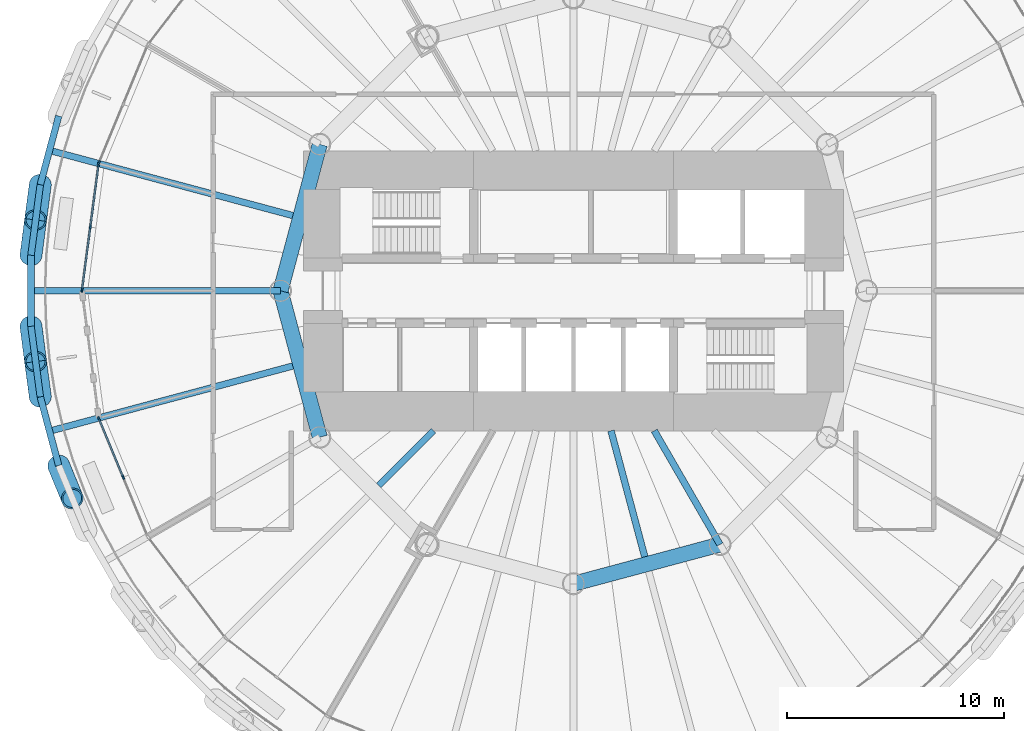
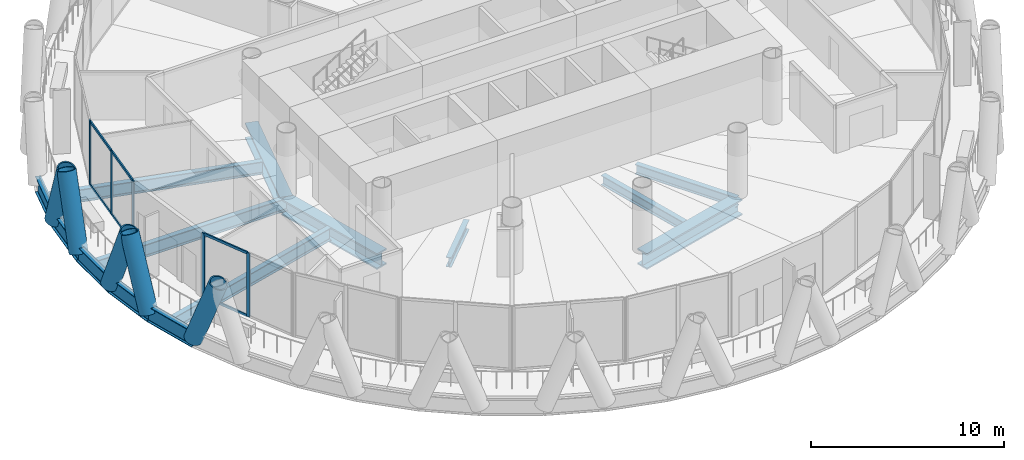
# One storey, part 3 of 15: 17 members, 14 beams, 3 elements without a shape of their own.
"""IFC4 building model written with IfcOpenShell, lengths in metres."""

from ifc_helpers import new_model, si_unit, direction, frame, origin, origin_2d, place, context, subcontext, project, spatial, rectangle, hollow_circle, i_section, extrude, material, material_profile, profile_set, type_object, element, aggregate, save


model = new_model("IFC4")

# Units and contexts
model_context = context("Model", 3, precision=1e-05, world=origin(), true_north=direction((0.0, 1.0)))
body_context = subcontext(model_context, "Body", "Model", "MODEL_VIEW")
ifc_project = project(units=[si_unit("LENGTHUNIT", "METRE"), si_unit("AREAUNIT", "SQUARE_METRE"), si_unit("VOLUMEUNIT", "CUBIC_METRE"), si_unit("PLANEANGLEUNIT", "RADIAN"), si_unit("MASSUNIT", "GRAM", prefix="KILO")], contexts=[model_context])

# Site, building, storey
site_placement = place(None, origin())
site = spatial("IfcSite", under=ifc_project, at=site_placement, CompositionType="ELEMENT")
building_placement = place(site_placement, origin())
building = spatial("IfcBuilding", under=site, at=building_placement, Name="Qaws Media Tower", CompositionType="ELEMENT")
storey_placement = place(building_placement, frame((0.0, 0.0, 131.0)))
storey = spatial("IfcBuildingStorey", under=building, at=storey_placement, Name="L29", CompositionType="ELEMENT", Elevation=131.0)

# Curtain wall, member
ifc_material_1 = material(Name="Aluminium and clear glass", Category="aluminium")
curtain_wall_type = type_object("IfcCurtainWallType", Name="Unitised curtain wall CW-B", PredefinedType="NOTDEFINED", material=ifc_material_1)
curtain_wall_1_placement = place(storey_placement, origin())
curtain_wall_1 = element("IfcCurtainWall", 1, at=curtain_wall_1_placement, inside=storey, type_object=curtain_wall_type, Name="CWB curtain wall L29-11", PredefinedType="NOTDEFINED")
ifc_material_2 = material(Name="Aluminium mullion", Category="aluminium")
ifc_material_profile_1 = material_profile(ifc_material_2, rectangle(XDim=0.080078125, YDim=0.199951171875, at=origin_2d()), Name="80x200")
ifc_profile_set_1 = profile_set([ifc_material_profile_1], Name="Aluminium mullion")
member_type_1 = type_object("IfcMemberType", Name="Curtain wall mullion 80x200", PredefinedType="MULLION", material=ifc_profile_set_1)
member_1_placement = place(storey_placement, frame((38.13720703125, 55.899169921875, 0.0), z_axis=(0.0, 0.0, 1.0), x_axis=(0.923879515987, -0.382683472258, 0.0)))
member_1 = element("IfcMember", 2, at=member_1_placement, type_object=member_type_1, Name="CWB mullion 3", PredefinedType="MULLION", context=body_context, shape_type="SweptSolid", body=[
    extrude(rectangle(XDim=0.080078125, YDim=0.199951171875, at=origin_2d()), origin(), (0.0, 0.0, 1.0), 4.0400390625),
])
aggregate(curtain_wall_1, [member_1])

# Curtain wall, members
curtain_wall_2_placement = place(storey_placement, origin())
curtain_wall_2 = element("IfcCurtainWall", 3, at=curtain_wall_2_placement, inside=storey, type_object=curtain_wall_type, Name="CWB curtain wall L29-12", PredefinedType="NOTDEFINED")
member_2_placement = place(storey_placement, frame((38.116455078125, 55.822509765625, 0.0), z_axis=(0.0, 0.0, 1.0), x_axis=(0.991444861059, -0.130526194608, 0.0)))
member_2 = element("IfcMember", 4, at=member_2_placement, type_object=member_type_1, Name="CWB mullion 1", PredefinedType="MULLION", context=body_context, shape_type="SweptSolid", body=[
    extrude(rectangle(XDim=0.080078125, YDim=0.199951171875, at=origin_2d()), origin(), (0.0, 0.0, 1.0), 4.0400390625),
])
member_3_placement = place(storey_placement, frame((37.73583984375, 52.93115234375, 0.0), z_axis=(0.0, 0.0, 1.0), x_axis=(0.991444861059, -0.130526194608, 0.0)))
member_3 = element("IfcMember", 5, at=member_3_placement, type_object=member_type_1, Name="CWB mullion 2", PredefinedType="MULLION", context=body_context, shape_type="SweptSolid", body=[
    extrude(rectangle(XDim=0.080078125, YDim=0.199951171875, at=origin_2d()), origin(), (0.0, 0.0, 1.0), 4.0400390625),
])
member_4_placement = place(storey_placement, frame((37.355224609375, 50.03955078125, 0.0), z_axis=(0.0, 0.0, 1.0), x_axis=(0.991444861059, -0.130526194608, 0.0)))
member_4 = element("IfcMember", 6, at=member_4_placement, type_object=member_type_1, Name="CWB mullion 3", PredefinedType="MULLION", context=body_context, shape_type="SweptSolid", body=[
    extrude(rectangle(XDim=0.080078125, YDim=0.199951171875, at=origin_2d()), origin(), (0.0, 0.0, 1.0), 4.0400390625),
])

curtain_wall_3_placement = place(storey_placement, origin())
curtain_wall_3 = element("IfcCurtainWall", 7, at=curtain_wall_3_placement, inside=storey, type_object=curtain_wall_type, Name="CWB curtain wall L29-14", PredefinedType="NOTDEFINED")
member_5_placement = place(storey_placement, frame((38.13720703125, 44.100830078125, 0.0), z_axis=(0.0, 0.0, 1.0), x_axis=(0.923879515987, 0.382683472258, 0.0)))
member_5 = element("IfcMember", 8, at=member_5_placement, type_object=member_type_1, Name="CWB mullion 1", PredefinedType="MULLION", context=body_context, shape_type="SweptSolid", body=[
    extrude(rectangle(XDim=0.080078125, YDim=0.199951171875, at=origin_2d()), origin(), (0.0, 0.0, 1.0), 4.0400390625),
])
member_6_placement = place(storey_placement, frame((39.253173828125, 41.406494140625, 0.0), z_axis=(0.0, 0.0, 1.0), x_axis=(0.923879515987, 0.382683472258, 0.0)))
member_6 = element("IfcMember", 9, at=member_6_placement, type_object=member_type_1, Name="CWB mullion 2", PredefinedType="MULLION", context=body_context, shape_type="SweptSolid", body=[
    extrude(rectangle(XDim=0.080078125, YDim=0.199951171875, at=origin_2d()), origin(), (0.0, 0.0, 1.0), 4.0400390625),
])

# Member
ifc_material_3 = material(Name="Aluminium transom", Category="aluminium")
ifc_material_profile_2 = material_profile(ifc_material_3, rectangle(XDim=0.080078125, YDim=0.159912109375, at=origin_2d()), Name="80x160")
ifc_profile_set_2 = profile_set([ifc_material_profile_2], Name="Aluminium transom")
member_type_2 = type_object("IfcMemberType", Name="Curtain wall transom 80x160", PredefinedType="USERDEFINED", material=ifc_profile_set_2)
member_7_placement = place(storey_placement, frame((38.111328125, 55.782958984375, 0.0400390625), z_axis=(-0.130483456706, -0.991450486674, 0.0), x_axis=(0.991450486674, -0.130483456706, 0.0)))
member_7 = element("IfcMember", 10, at=member_7_placement, type_object=member_type_2, Name="CWB transom 1.1", ObjectType="TRANSOM", PredefinedType="USERDEFINED", context=body_context, shape_type="SweptSolid", body=[
    extrude(rectangle(XDim=0.080078125, YDim=0.159912109375, at=origin_2d()), origin(), (0.0, 0.0, 1.0), 2.83642578125),
])

member_8_placement = place(storey_placement, frame((38.111328125, 55.782958984375, 4.0), z_axis=(-0.130483456706, -0.991450486674, 0.0), x_axis=(0.991450486674, -0.130483456706, 0.0)))
member_8 = element("IfcMember", 11, at=member_8_placement, type_object=member_type_2, Name="CWB transom 1.2", ObjectType="TRANSOM", PredefinedType="USERDEFINED", context=body_context, shape_type="SweptSolid", body=[
    extrude(rectangle(XDim=0.080078125, YDim=0.159912109375, at=origin_2d()), origin(), (0.0, 0.0, 1.0), 2.83642578125),
])

member_9_placement = place(storey_placement, frame((37.730712890625, 52.891357421875, 0.0400390625), z_axis=(-0.130579203445, -0.991437880872, 0.0), x_axis=(0.991437880872, -0.130579203445, 0.0)))
member_9 = element("IfcMember", 12, at=member_9_placement, type_object=member_type_2, Name="CWB transom 2.1", ObjectType="TRANSOM", PredefinedType="USERDEFINED", context=body_context, shape_type="SweptSolid", body=[
    extrude(rectangle(XDim=0.080078125, YDim=0.159912109375, at=origin_2d()), origin(), (0.0, 0.0, 1.0), 2.836181640625),
])

member_10_placement = place(storey_placement, frame((37.730712890625, 52.891357421875, 4.0), z_axis=(-0.130579203445, -0.991437880872, 0.0), x_axis=(0.991437880872, -0.130579203445, 0.0)))
member_10 = element("IfcMember", 13, at=member_10_placement, type_object=member_type_2, Name="CWB transom 2.2", ObjectType="TRANSOM", PredefinedType="USERDEFINED", context=body_context, shape_type="SweptSolid", body=[
    extrude(rectangle(XDim=0.080078125, YDim=0.159912109375, at=origin_2d()), origin(), (0.0, 0.0, 1.0), 2.836181640625),
])

aggregate(curtain_wall_2, [member_2, member_3, member_4, member_7, member_8, member_9, member_10])

member_11_placement = place(storey_placement, frame((38.15234375, 44.063720703125, 0.0400390625), z_axis=(0.382701494265, -0.92387205082, 0.0), x_axis=(0.92387205082, 0.382701494265, 0.0)))
member_11 = element("IfcMember", 14, at=member_11_placement, type_object=member_type_2, Name="CWB transom 1.1", ObjectType="TRANSOM", PredefinedType="USERDEFINED", context=body_context, shape_type="SweptSolid", body=[
    extrude(rectangle(XDim=0.080078125, YDim=0.159912109375, at=origin_2d()), origin(), (0.0, 0.0, 1.0), 2.836181640625),
])

member_12_placement = place(storey_placement, frame((38.15234375, 44.063720703125, 4.0), z_axis=(0.382701494265, -0.92387205082, 0.0), x_axis=(0.92387205082, 0.382701494265, 0.0)))
member_12 = element("IfcMember", 15, at=member_12_placement, type_object=member_type_2, Name="CWB transom 1.2", ObjectType="TRANSOM", PredefinedType="USERDEFINED", context=body_context, shape_type="SweptSolid", body=[
    extrude(rectangle(XDim=0.080078125, YDim=0.159912109375, at=origin_2d()), origin(), (0.0, 0.0, 1.0), 2.836181640625),
])

aggregate(curtain_wall_3, [member_5, member_6, member_11, member_12])

# Members
ifc_material_4 = material(Name="Steel S460", Category="steel")
ifc_material_profile_3 = material_profile(ifc_material_4, hollow_circle(Radius=0.508056640625, WallThickness=0.070068359375, at=origin_2d()), Name="CHS 1016x70")
ifc_profile_set_3 = profile_set([ifc_material_profile_3], Name="Steel S460")
member_type_3 = type_object("IfcMemberType", Name="Diagrid member CHS 1016x70", PredefinedType="USERDEFINED", material=ifc_profile_set_3)
for number, where, z_axis, x_axis, name in (
    (16, (35.431396484375, 54.886962890625, -0.6640625), (-0.048252273202, -0.360186160571, 0.931631712569), (0.991145715251, -0.132778654682, 0.0), "DG3 diagrid L29 A12"),
    (17, (35.003662109375, 48.361572265625, -0.6640625), (0.046627572138, -0.360402430408, 0.931630805455), (0.991734491541, 0.128307046915, 0.0), "DG3 diagrid L29 A13"),
    (18, (35.003662109375, 51.638427734375, -0.6640625), (0.046627572138, 0.360402430408, 0.931630805455), (-0.991734491541, 0.128307046915, 0.0), "DG3 diagrid L29 B13"),
):
    element("IfcMember", number, at=place(storey_placement, frame(where, z_axis=z_axis, x_axis=x_axis)), inside=storey, type_object=member_type_3, Name=name, ObjectType="DIAGRID", PredefinedType="USERDEFINED", context=body_context, shape_type="SweptSolid", body=[
        extrude(hollow_circle(Radius=0.508056640625, WallThickness=0.070068359375, at=origin_2d()), origin(), (0.0, 0.0, 1.0), 4.508056640625),
    ])
member_13_placement = place(storey_placement, frame((36.279296875, 41.947998046875, -0.6640625), z_axis=(0.13836391455, -0.336080803796, 0.931614255188), x_axis=(0.924699697711, 0.380697345738, 0.0)))
element("IfcMember", 19, at=member_13_placement, inside=storey, type_object=member_type_3, Name="DG3 diagrid L29 A14", ObjectType="DIAGRID", PredefinedType="USERDEFINED", context=body_context, shape_type="SweptSolid", body=[
    extrude(hollow_circle(Radius=0.508056640625, WallThickness=0.070068359375, at=origin_2d()), origin(), (0.0, 0.0, 1.0), 4.50830078125),
])
member_14_placement = place(storey_placement, frame((35.431396484375, 45.113037109375, -0.6640625), z_axis=(-0.048252273202, 0.360186160571, 0.931631712569), x_axis=(-0.991145715251, -0.132778654682, 0.0)))
element("IfcMember", 20, at=member_14_placement, inside=storey, type_object=member_type_3, Name="DG3 diagrid L29 B14", ObjectType="DIAGRID", PredefinedType="USERDEFINED", context=body_context, shape_type="SweptSolid", body=[
    extrude(hollow_circle(Radius=0.508056640625, WallThickness=0.070068359375, at=origin_2d()), origin(), (0.0, 0.0, 1.0), 4.508056640625),
])

# Beams
ifc_material_5 = material(Name="Steel S460", Category="steel")
ifc_material_profile_4 = material_profile(ifc_material_5, i_section(OverallWidth=0.302001953125, OverallDepth=1.008056640625, WebThickness=0.02099609375, FlangeThickness=0.0400390625, FilletRadius=0.030029296875, at=origin_2d()), Name="HE 1000 M")
ifc_profile_set_4 = profile_set([ifc_material_profile_4], Name="Steel S460")
beam_type_1 = type_object("IfcBeamType", Name="Edge ring beam HE 1000 M", PredefinedType="BEAM", material=ifc_profile_set_4)
for number, where, z_axis, x_axis, name in (
    (21, (36.279296875, 58.052001953125, -0.6640625), (-0.258770845724, -0.965938739985, 0.0), (0.965938739985, -0.258770845724, 0.0), "RB3 edge ring beam L29-22"),
    (22, (35.431396484375, 54.886962890625, -0.6640625), (-0.130543174494, -0.991442625467, 0.0), (0.991442625467, -0.130543174494, 0.0), "RB3 edge ring beam L29-23"),
):
    element("IfcBeam", number, at=place(storey_placement, frame(where, z_axis=z_axis, x_axis=x_axis)), inside=storey, type_object=beam_type_1, Name=name, PredefinedType="BEAM", context=body_context, shape_type="SweptSolid", body=[
        extrude(i_section(OverallWidth=0.302001953125, OverallDepth=1.008056640625, WebThickness=0.02099609375, FlangeThickness=0.0400390625, FilletRadius=0.030029296875, at=origin_2d()), origin(), (0.0, 0.0, 1.0), 3.276611328125),
    ])
beam_1_placement = place(storey_placement, frame((35.003662109375, 51.638427734375, -0.6640625), z_axis=(0.0, -1.0, 0.0), x_axis=(1.0, 0.0, 0.0)))
element("IfcBeam", 23, at=beam_1_placement, inside=storey, type_object=beam_type_1, Name="RB3 edge ring beam L29-24", PredefinedType="BEAM", context=body_context, shape_type="SweptSolid", body=[
    extrude(i_section(OverallWidth=0.302001953125, OverallDepth=1.008056640625, WebThickness=0.02099609375, FlangeThickness=0.0400390625, FilletRadius=0.030029296875, at=origin_2d()), origin(), (0.0, 0.0, 1.0), 3.27685546875),
])
for number, where, z_axis, x_axis, name in (
    (24, (35.003662109375, 48.361572265625, -0.6640625), (0.130543174494, -0.991442625467, 0.0), (0.991442625467, 0.130543174494, 0.0), "RB3 edge ring beam L29-25"),
    (25, (35.431396484375, 45.113037109375, -0.6640625), (0.258770845724, -0.965938739985, 0.0), (0.965938739985, 0.258770845724, 0.0), "RB3 edge ring beam L29-26"),
):
    element("IfcBeam", number, at=place(storey_placement, frame(where, z_axis=z_axis, x_axis=x_axis)), inside=storey, type_object=beam_type_1, Name=name, PredefinedType="BEAM", context=body_context, shape_type="SweptSolid", body=[
        extrude(i_section(OverallWidth=0.302001953125, OverallDepth=1.008056640625, WebThickness=0.02099609375, FlangeThickness=0.0400390625, FilletRadius=0.030029296875, at=origin_2d()), origin(), (0.0, 0.0, 1.0), 3.276611328125),
    ])
ifc_material_6 = material(Name="Steel S460", Category="steel")
ifc_material_profile_5 = material_profile(ifc_material_6, i_section(OverallWidth=0.699951171875, OverallDepth=1.0, WebThickness=0.034912109375, FlangeThickness=0.090087890625, at=origin_2d()), Name="PG 1000x700")
ifc_profile_set_5 = profile_set([ifc_material_profile_5], Name="Steel S460")
beam_type_2 = type_object("IfcBeamType", Name="Inner ring girder PG 1000x700", PredefinedType="BEAM", material=ifc_profile_set_5)
for number, where, z_axis, x_axis, name in (
    (26, (48.30859375, 56.75, -0.659912109375), (-0.258810593767, -0.965928090778, 0.0), (0.965928090778, -0.258810593767, 0.0), "B3 inner ring beam L29 I06-I07"),
    (27, (46.5, 50.0, -0.659912109375), (0.258810593767, -0.965928090778, 0.0), (0.965928090778, 0.258810593767, 0.0), "B3 inner ring beam L29 I07-I08"),
    (28, (60.0, 36.5, -0.659912109375), (0.965928090778, 0.258810593767, 0.0), (-0.258810593767, 0.965928090778, 0.0), "B3 inner ring beam L29 I10-I11"),
):
    element("IfcBeam", number, at=place(storey_placement, frame(where, z_axis=z_axis, x_axis=x_axis)), inside=storey, type_object=beam_type_2, Name=name, PredefinedType="BEAM", context=body_context, shape_type="SweptSolid", body=[
        extrude(i_section(OverallWidth=0.699951171875, OverallDepth=1.0, WebThickness=0.034912109375, FlangeThickness=0.090087890625, at=origin_2d()), origin(), (0.0, 0.0, 1.0), 6.988037109375),
    ])
ifc_material_7 = material(Name="Steel S355", Category="steel")
ifc_material_profile_6 = material_profile(ifc_material_7, i_section(OverallWidth=0.304931640625, OverallDepth=0.6201171875, WebThickness=0.02099609375, FlangeThickness=0.0400390625, FilletRadius=0.027099609375, at=origin_2d()), Name="HE 600 M")
ifc_profile_set_6 = profile_set([ifc_material_profile_6], Name="Steel S355")
beam_type_3 = type_object("IfcBeamType", Name="Radial beam HE 600 M, core side", PredefinedType="BEAM", material=ifc_profile_set_6)
beam_2_placement = place(storey_placement, frame((53.550048828125, 43.550048828125, -0.469970703125), z_axis=(-0.707106781187, -0.707106781187, 0.0), x_axis=(0.707106781187, -0.707106781187, 0.0)))
element("IfcBeam", 29, at=beam_2_placement, inside=storey, type_object=beam_type_3, Name="B2 radial beam L29 16", PredefinedType="BEAM", context=body_context, shape_type="SweptSolid", body=[
    extrude(i_section(OverallWidth=0.304931640625, OverallDepth=0.6201171875, WebThickness=0.02099609375, FlangeThickness=0.0400390625, FilletRadius=0.027099609375, at=origin_2d()), origin(), (0.0, 0.0, 1.0), 3.568359375),
])
beam_3_placement = place(storey_placement, frame((61.728271484375, 43.550048828125, -0.469970703125), z_axis=(0.258819977482, -0.965925576458, 0.0), x_axis=(0.965925576458, 0.258819977482, 0.0)))
element("IfcBeam", 30, at=beam_3_placement, inside=storey, type_object=beam_type_3, Name="B2 radial beam L29 20", PredefinedType="BEAM", context=body_context, shape_type="SweptSolid", body=[
    extrude(i_section(OverallWidth=0.304931640625, OverallDepth=0.6201171875, WebThickness=0.02099609375, FlangeThickness=0.0400390625, FilletRadius=0.027099609375, at=origin_2d()), origin(), (0.0, 0.0, 1.0), 6.012451171875),
])
beam_4_placement = place(storey_placement, frame((63.723876953125, 43.550048828125, -0.469970703125), z_axis=(0.499995978368, -0.866027725662, 0.0), x_axis=(0.866027725662, 0.499995978368, 0.0)))
element("IfcBeam", 31, at=beam_4_placement, inside=storey, type_object=beam_type_3, Name="B2 radial beam L29 21", PredefinedType="BEAM", context=body_context, shape_type="SweptSolid", body=[
    extrude(i_section(OverallWidth=0.304931640625, OverallDepth=0.6201171875, WebThickness=0.02099609375, FlangeThickness=0.0400390625, FilletRadius=0.027099609375, at=origin_2d()), origin(), (0.0, 0.0, 1.0), 6.05224609375),
])
ifc_material_8 = material(Name="Steel S355", Category="steel")
ifc_material_profile_7 = material_profile(ifc_material_8, i_section(OverallWidth=0.300048828125, OverallDepth=0.800048828125, WebThickness=0.017578125, FlangeThickness=0.032958984375, FilletRadius=0.030029296875, at=origin_2d()), Name="HE 800 B")
ifc_profile_set_7 = profile_set([ifc_material_profile_7], Name="Steel S355")
beam_type_4 = type_object("IfcBeamType", Name="Radial beam HE 800 B", PredefinedType="BEAM", material=ifc_profile_set_7)
beam_5_placement = place(storey_placement, frame((47.066162109375, 53.465576171875, -0.56005859375), z_axis=(-0.965925610503, 0.258819850424, 0.0), x_axis=(-0.258819850424, -0.965925610503, 0.0)))
element("IfcBeam", 32, at=beam_5_placement, inside=storey, type_object=beam_type_4, Name="B1 radial beam L29 12", PredefinedType="BEAM", context=body_context, shape_type="SweptSolid", body=[
    extrude(i_section(OverallWidth=0.300048828125, OverallDepth=0.800048828125, WebThickness=0.017578125, FlangeThickness=0.032958984375, FilletRadius=0.030029296875, at=origin_2d()), origin(), (0.0, 0.0, 1.0), 11.606201171875),
])
beam_6_placement = place(storey_placement, frame((46.5, 50.0, -0.56005859375), z_axis=(-1.0, 0.0, 0.0), x_axis=(0.0, -1.0, 0.0)))
element("IfcBeam", 33, at=beam_6_placement, inside=storey, type_object=beam_type_4, Name="B1 radial beam L29 13", PredefinedType="BEAM", context=body_context, shape_type="SweptSolid", body=[
    extrude(i_section(OverallWidth=0.300048828125, OverallDepth=0.800048828125, WebThickness=0.017578125, FlangeThickness=0.032958984375, FilletRadius=0.030029296875, at=origin_2d()), origin(), (0.0, 0.0, 1.0), 11.496337890625),
])
beam_7_placement = place(storey_placement, frame((47.066162109375, 46.534423828125, -0.56005859375), z_axis=(-0.965925610503, -0.258819850424, 0.0), x_axis=(0.258819850424, -0.965925610503, 0.0)))
element("IfcBeam", 34, at=beam_7_placement, inside=storey, type_object=beam_type_4, Name="B1 radial beam L29 14", PredefinedType="BEAM", context=body_context, shape_type="SweptSolid", body=[
    extrude(i_section(OverallWidth=0.300048828125, OverallDepth=0.800048828125, WebThickness=0.017578125, FlangeThickness=0.032958984375, FilletRadius=0.030029296875, at=origin_2d()), origin(), (0.0, 0.0, 1.0), 11.606201171875),
])

save(model, "model.ifc")
